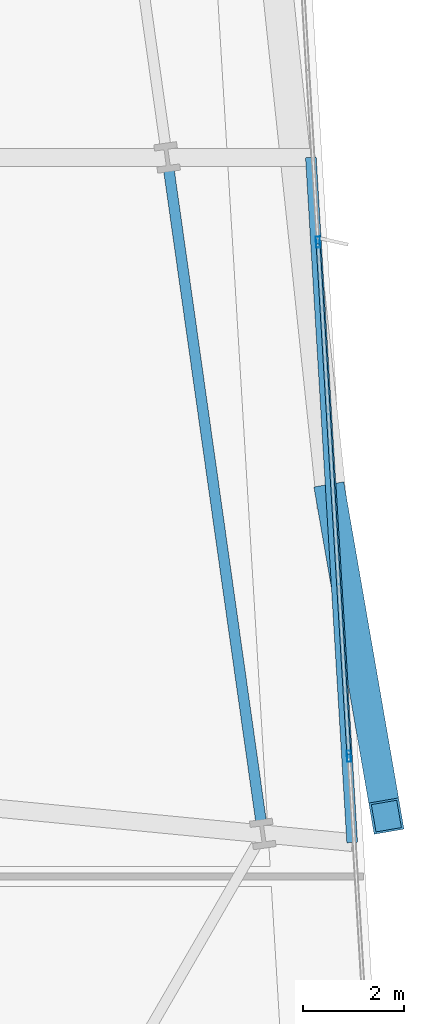
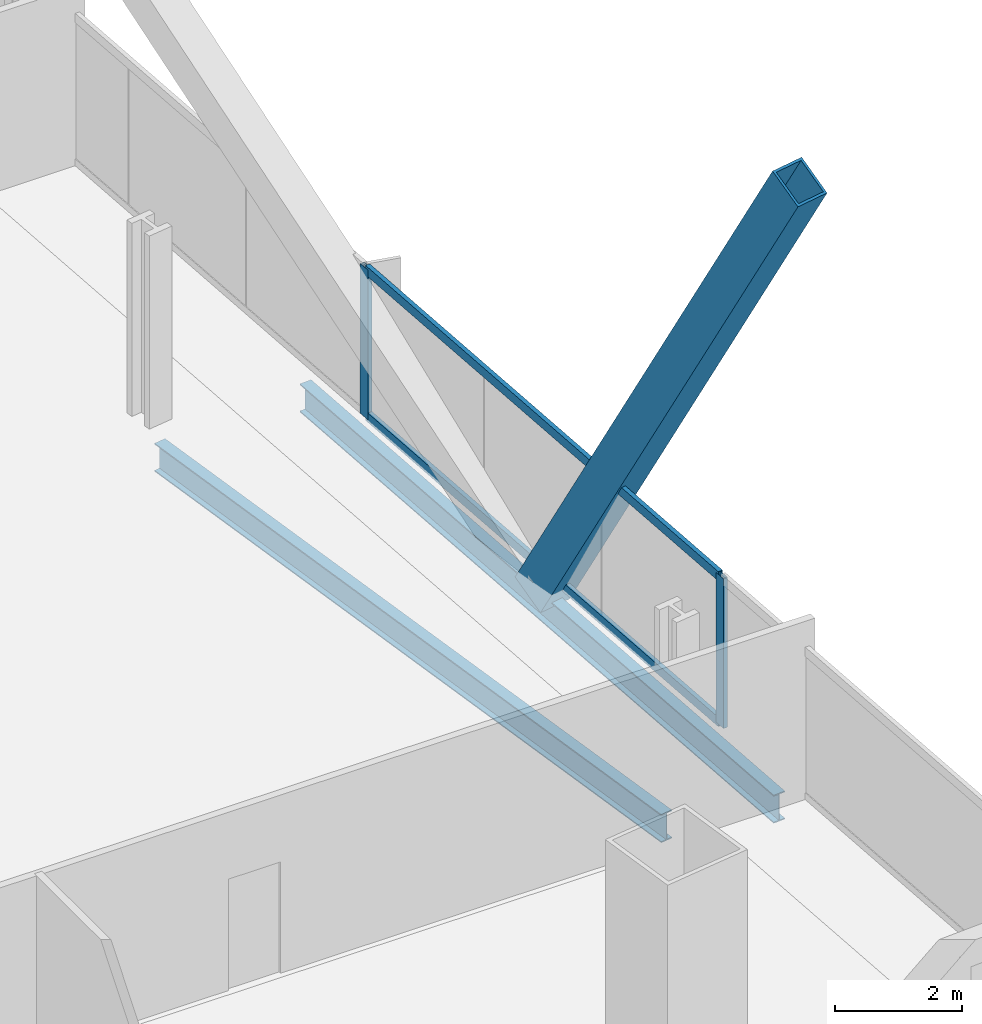
# One storey, part 13 of 34: 5 members, 2 beams, 1 element without a shape of its own.
"""IFC4 building model written with IfcOpenShell, lengths in metres."""

from ifc_helpers import new_model, si_unit, direction, frame, origin, origin_2d, place, context, subcontext, project, spatial, hollow_rectangle, i_section, extrude, material, material_profile, profile_set, type_object, element, aggregate, save


model = new_model("IFC4")

# Units and contexts
model_context = context("Model", 3, precision=1e-05, world=origin(), true_north=direction((0.0, 1.0)))
body_context = subcontext(model_context, "Body", "Model", "MODEL_VIEW")
ifc_project = project(units=[si_unit("LENGTHUNIT", "METRE"), si_unit("AREAUNIT", "SQUARE_METRE"), si_unit("VOLUMEUNIT", "CUBIC_METRE"), si_unit("PLANEANGLEUNIT", "RADIAN"), si_unit("MASSUNIT", "GRAM", prefix="KILO")], contexts=[model_context])

# Site, building, storey
site_placement = place(None, origin())
site = spatial("IfcSite", under=ifc_project, at=site_placement, CompositionType="ELEMENT")
building_placement = place(site_placement, origin())
building = spatial("IfcBuilding", under=site, at=building_placement, Name="Haldenkirk Collegiate Tower", CompositionType="ELEMENT")
storey_placement = place(building_placement, frame((0.0, 0.0, 40.199951171875)))
storey = spatial("IfcBuildingStorey", under=building, at=storey_placement, Name="L08", CompositionType="ELEMENT", Elevation=40.199951171875)

# Beams
ifc_material_1 = material(Name="Steel ASTM A992 Grade 50", Category="steel")
ifc_material_profile_1 = material_profile(ifc_material_1, i_section(OverallWidth=0.2119140625, OverallDepth=0.5439453125, WebThickness=0.01318359375, FlangeThickness=0.021240234375, at=origin_2d()), Name="W21X83")
ifc_profile_set_1 = profile_set([ifc_material_profile_1], Name="Steel ASTM A992 Grade 50")
beam_type = type_object("IfcBeamType", Name="BM-SPANDREL-W21X83", PredefinedType="SPANDREL", material=ifc_profile_set_1)
beam_1_placement = place(storey_placement, frame((61.611083984375, 16.65478515625, -0.58203125), z_axis=(-0.140040904101, 0.990145719164, 0.0), x_axis=(-0.990145719164, -0.140040904101, 0.0)))
element("IfcBeam", 1, at=beam_1_placement, inside=storey, type_object=beam_type, Name="L08 perimeter spandrel beam 06", PredefinedType="SPANDREL", context=body_context, shape_type="SweptSolid", body=[
    extrude(i_section(OverallWidth=0.2119140625, OverallDepth=0.5439453125, WebThickness=0.01318359375, FlangeThickness=0.021240234375, at=origin_2d()), origin(), (0.0, 0.0, 1.0), 13.000244140625),
])
beam_2_placement = place(storey_placement, frame((63.418212890625, 16.22216796875, -0.58203125), z_axis=(-0.060194058025, 0.998186693649, 0.0), x_axis=(-0.998186693649, -0.060194058025, 0.0)))
element("IfcBeam", 2, at=beam_2_placement, inside=storey, type_object=beam_type, Name="L08 outer facade edge beam 2", PredefinedType="SPANDREL", context=body_context, shape_type="SweptSolid", body=[
    extrude(i_section(OverallWidth=0.2119140625, OverallDepth=0.5439453125, WebThickness=0.01318359375, FlangeThickness=0.021240234375, at=origin_2d()), origin(), (0.0, 0.0, 1.0), 13.59130859375),
])

# Curtain wall, members
ifc_material_2 = material(Name="Anodised architectural bronze aluminium", Category="aluminium")
curtain_wall_type = type_object("IfcCurtainWallType", Name="CW-SYS1-CONVEX-LOW", PredefinedType="USERDEFINED", material=ifc_material_2)
curtain_wall_placement = place(storey_placement, origin())
curtain_wall = element("IfcCurtainWall", 3, at=curtain_wall_placement, inside=storey, type_object=curtain_wall_type, Name="L08 Lower tower convex bronze-framed unitised curtain wall", ObjectType="UNITISED CURTAIN WALL", PredefinedType="USERDEFINED")
ifc_material_profile_2 = material_profile(ifc_material_2, hollow_rectangle(XDim=0.080078125, YDim=0.219970703125, WallThickness=0.0048828125, at=origin_2d()), Name="CW-MUL-1A")
ifc_profile_set_2 = profile_set([ifc_material_profile_2], Name="Anodised architectural bronze aluminium")
member_type_1 = type_object("IfcMemberType", Name="CW-MUL-1A", PredefinedType="MULLION", material=ifc_profile_set_2)
member_1_placement = place(storey_placement, frame((62.7412109375, 28.113037109375, 0.0), z_axis=(0.0, 0.0, 1.0), x_axis=(0.998187748718, 0.060176559466, 0.0)))
member_1 = element("IfcMember", 4, at=member_1_placement, type_object=member_type_1, Name="CW-1A mullion 3", PredefinedType="MULLION", context=body_context, shape_type="SweptSolid", body=[
    extrude(hollow_rectangle(XDim=0.080078125, YDim=0.219970703125, WallThickness=0.0048828125, at=origin_2d()), origin(), (0.0, 0.0, 1.0), 2.89111328125),
])
member_2_placement = place(storey_placement, frame((63.35498046875, 17.931640625, 0.0), z_axis=(0.0, 0.0, 1.0), x_axis=(0.998187748718, 0.060176559466, 0.0)))
member_2 = element("IfcMember", 5, at=member_2_placement, type_object=member_type_1, Name="CW-1A mullion 4", PredefinedType="MULLION", context=body_context, shape_type="SweptSolid", body=[
    extrude(hollow_rectangle(XDim=0.080078125, YDim=0.219970703125, WallThickness=0.0048828125, at=origin_2d()), origin(), (0.0, 0.0, 1.0), 2.89111328125),
])
ifc_material_profile_3 = material_profile(ifc_material_2, hollow_rectangle(XDim=0.080078125, YDim=0.179931640625, WallThickness=0.0048828125, at=origin_2d()), Name="CW-TRN-1A")
ifc_profile_set_3 = profile_set([ifc_material_profile_3], Name="Anodised architectural bronze aluminium")
member_type_2 = type_object("IfcMemberType", Name="CW-TRN-1A", PredefinedType="USERDEFINED", material=ifc_profile_set_3)
member_3_placement = place(storey_placement, frame((62.74365234375, 28.0732421875, 0.0400390625), z_axis=(0.060189874329, -0.998186945932, 0.0), x_axis=(0.998186945932, 0.060189874329, 0.0)))
member_3 = element("IfcMember", 6, at=member_3_placement, type_object=member_type_2, Name="CW-1A transom 3.1", ObjectType="TRANSOM", PredefinedType="USERDEFINED", context=body_context, shape_type="SweptSolid", body=[
    extrude(hollow_rectangle(XDim=0.080078125, YDim=0.179931640625, WallThickness=0.0048828125, at=origin_2d()), origin(), (0.0, 0.0, 1.0), 10.1201171875),
])
member_4_placement = place(storey_placement, frame((62.74365234375, 28.0732421875, 2.85107421875), z_axis=(0.060189874329, -0.998186945932, 0.0), x_axis=(0.998186945932, 0.060189874329, 0.0)))
member_4 = element("IfcMember", 7, at=member_4_placement, type_object=member_type_2, Name="CW-1A transom 3.2", ObjectType="TRANSOM", PredefinedType="USERDEFINED", context=body_context, shape_type="SweptSolid", body=[
    extrude(hollow_rectangle(XDim=0.080078125, YDim=0.179931640625, WallThickness=0.0048828125, at=origin_2d()), origin(), (0.0, 0.0, 1.0), 10.1201171875),
])
aggregate(curtain_wall, [member_1, member_2, member_3, member_4])

# Member
ifc_material_3 = material(Name="Steel ASTM A572 Grade 50", Category="steel")
ifc_material_profile_4 = material_profile(ifc_material_3, hollow_rectangle(XDim=0.60009765625, YDim=0.719970703125, WallThickness=0.044921875, at=origin_2d()), Name="BOX720X600X45")
ifc_profile_set_4 = profile_set([ifc_material_profile_4], Name="Steel ASTM A572 Grade 50")
member_type_3 = type_object("IfcMemberType", Name="MBR-MEGABRACE-BOX720X600X45", PredefinedType="BRACE", material=ifc_profile_set_4)
member_5_placement = place(storey_placement, frame((63.00927734375, 23.00537109375, -0.320068359375), z_axis=(0.084050883564, -0.484501945723, 0.870742966416), x_axis=(0.985283868945, 0.170926000354, 0.0)))
element("IfcMember", 8, at=member_5_placement, inside=storey, type_object=member_type_3, Name="Perimeter Mega Brace Z1 L08-L10 EL", PredefinedType="BRACE", context=body_context, shape_type="SweptSolid", body=[
    extrude(hollow_rectangle(XDim=0.60009765625, YDim=0.719970703125, WallThickness=0.044921875, at=origin_2d()), origin(), (0.0, 0.0, 1.0), 12.919921875),
])

save(model, "model.ifc")
